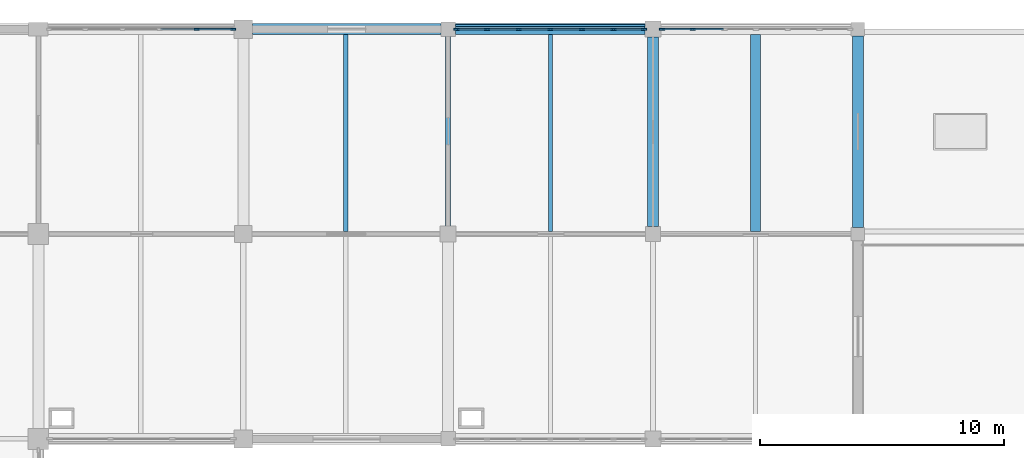
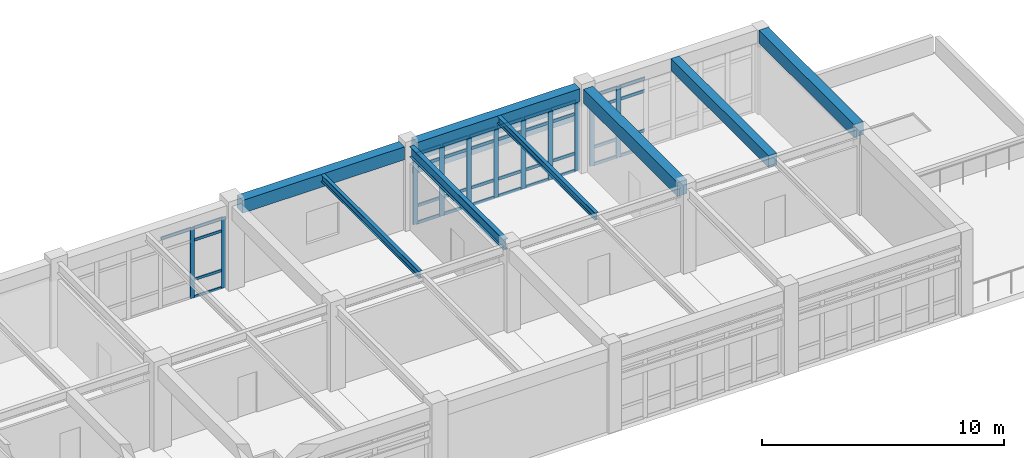
# One storey, part 40 of 78: 50 members, 8 beams, 3 elements without a shape of their own.
"""IFC4 building model written with IfcOpenShell, lengths in metres."""

from ifc_helpers import new_model, si_unit, direction, frame, origin, origin_2d, place, context, subcontext, project, spatial, rectangle, i_section, extrude, material, layer, layer_set, material_profile, profile_set, type_object, element, aggregate, save


model = new_model("IFC4")

# Units and contexts
model_context = context("Model", 3, precision=1e-05, world=origin(), true_north=direction((0.0, 1.0)))
body_context = subcontext(model_context, "Body", "Model", "MODEL_VIEW")
ifc_project = project(units=[si_unit("LENGTHUNIT", "METRE"), si_unit("AREAUNIT", "SQUARE_METRE"), si_unit("VOLUMEUNIT", "CUBIC_METRE"), si_unit("PLANEANGLEUNIT", "RADIAN"), si_unit("MASSUNIT", "GRAM", prefix="KILO")], contexts=[model_context])

# Site, building, storey
site_placement = place(None, origin())
site = spatial("IfcSite", under=ifc_project, at=site_placement, CompositionType="ELEMENT")
building_placement = place(site_placement, origin())
building = spatial("IfcBuilding", under=site, at=building_placement, Name="Porcellanite Civic Hall", CompositionType="ELEMENT")
storey_placement = place(building_placement, frame((0.0, 0.0, 10.260009765625)))
storey = spatial("IfcBuildingStorey", under=building, at=storey_placement, Name="L02", CompositionType="ELEMENT", Elevation=10.260009765625)

# Beams
ifc_material_1 = material(Name="Concrete N50 (50 MPa)", Category="concrete")
ifc_material_profile_1 = material_profile(ifc_material_1, rectangle(XDim=0.39990234375, YDim=0.60009765625, at=origin_2d()), Name="RC-400x600")
ifc_profile_set_1 = profile_set([ifc_material_profile_1], Name="Concrete N50 (50 MPa)")
beam_type_1 = type_object("IfcBeamType", Name="BM-RC600", PredefinedType="JOIST", material=ifc_profile_set_1)
beam_1_placement = place(storey_placement, frame((155.39990234375, 109.29443359375, 3.93994140625), z_axis=(0.0, 1.0, 0.0), x_axis=(-1.0, 0.0, 0.0)))
element("IfcBeam", 1, at=beam_1_placement, inside=storey, type_object=beam_type_1, Name="Secondary joist L02 19-14", PredefinedType="JOIST", context=body_context, shape_type="SweptSolid", body=[
    extrude(rectangle(XDim=0.39990234375, YDim=0.60009765625, at=origin_2d()), origin(), (0.0, 0.0, 1.0), 8.0810546875),
])
ifc_material_2 = material(Name="Concrete N50 (50 MPa)", Category="concrete")
ifc_material_profile_2 = material_profile(ifc_material_2, rectangle(XDim=0.449951171875, YDim=0.64990234375, at=origin_2d()), Name="RC-450x650")
ifc_profile_set_2 = profile_set([ifc_material_profile_2], Name="Concrete N50 (50 MPa)")
beam_type_2 = type_object("IfcBeamType", Name="BM-RC650", PredefinedType="SPANDREL", material=ifc_profile_set_2)
beam_2_placement = place(storey_placement, frame((134.7744140625, 117.60009765625, 3.9150390625), z_axis=(1.0, 0.0, 0.0), x_axis=(0.0, 1.0, 0.0)))
element("IfcBeam", 2, at=beam_2_placement, inside=storey, type_object=beam_type_2, Name="Beam X L02 17-15", PredefinedType="SPANDREL", context=body_context, shape_type="SweptSolid", body=[
    extrude(rectangle(XDim=0.449951171875, YDim=0.64990234375, at=origin_2d()), origin(), (0.0, 0.0, 1.0), 7.72607421875),
])
beam_3_placement = place(storey_placement, frame((143.099609375, 117.60009765625, 3.9150390625), z_axis=(1.0, 0.0, 0.0), x_axis=(0.0, 1.0, 0.0)))
element("IfcBeam", 3, at=beam_3_placement, inside=storey, type_object=beam_type_2, Name="Beam X L02 18-15", PredefinedType="SPANDREL", context=body_context, shape_type="SweptSolid", body=[
    extrude(rectangle(XDim=0.449951171875, YDim=0.64990234375, at=origin_2d()), origin(), (0.0, 0.0, 1.0), 7.77587890625),
])
beam_4_placement = place(storey_placement, frame((159.60009765625, 109.474609375, 3.9150390625), z_axis=(0.0, 1.0, 0.0), x_axis=(-1.0, 0.0, 0.0)))
element("IfcBeam", 4, at=beam_4_placement, inside=storey, type_object=beam_type_2, Name="Beam Y L02 20-14", PredefinedType="SPANDREL", context=body_context, shape_type="SweptSolid", body=[
    extrude(rectangle(XDim=0.449951171875, YDim=0.64990234375, at=origin_2d()), origin(), (0.0, 0.0, 1.0), 7.850830078125),
])
ifc_material_3 = material(Name="Concrete N50 (50 MPa)", Category="concrete")
ifc_material_profile_3 = material_profile(ifc_material_3, rectangle(XDim=0.449951171875, YDim=0.699951171875, at=origin_2d()), Name="RC-450x700")
ifc_profile_set_3 = profile_set([ifc_material_profile_3], Name="Concrete N50 (50 MPa)")
beam_type_3 = type_object("IfcBeamType", Name="BM-RC700", PredefinedType="BEAM", material=ifc_profile_set_3)
beam_5_placement = place(storey_placement, frame((151.199951171875, 109.49951171875, 3.889892578125), z_axis=(0.0, 1.0, 0.0), x_axis=(-1.0, 0.0, 0.0)))
element("IfcBeam", 5, at=beam_5_placement, inside=storey, type_object=beam_type_3, Name="Beam Y L02 19-14", PredefinedType="BEAM", context=body_context, shape_type="SweptSolid", body=[
    extrude(rectangle(XDim=0.449951171875, YDim=0.699951171875, at=origin_2d()), origin(), (0.0, 0.0, 1.0), 7.77587890625),
])

# Curtain wall, members
ifc_material_4 = material(Name="Anodised aluminium and solar laminated glass", Category="aluminium")
ifc_layer_1 = layer(ifc_material_4, 0.179931640625)
ifc_layer_set_1 = layer_set([ifc_layer_1], Name="Anodised aluminium and solar laminated glass")
curtain_wall_type_1 = type_object("IfcCurtainWallType", Name="CW-SYS02", PredefinedType="NOTDEFINED", material=ifc_layer_set_1)
curtain_wall_1_placement = place(storey_placement, origin())
curtain_wall_1 = element("IfcCurtainWall", 6, at=curtain_wall_1_placement, inside=storey, type_object=curtain_wall_type_1, Name="Curtain wall CW-177", PredefinedType="NOTDEFINED")
ifc_material_5 = material(Name="Anodised aluminium 6063-T6", Category="aluminium")
ifc_material_profile_4 = material_profile(ifc_material_5, rectangle(XDim=0.074951171875, YDim=0.219970703125, at=origin_2d()), Name="AL-75x220")
ifc_profile_set_4 = profile_set([ifc_material_profile_4], Name="Anodised aluminium 6063-T6")
member_type_1 = type_object("IfcMemberType", Name="CWM-03", PredefinedType="MULLION", material=ifc_profile_set_4)
member_1_placement = place(storey_placement, frame((143.138427734375, 117.60009765625, 0.0), z_axis=(0.0, 0.0, 1.0), x_axis=(0.0, 1.0, 0.0)))
member_1 = element("IfcMember", 7, at=member_1_placement, type_object=member_type_1, Name="CW-177 mullion 1", PredefinedType="MULLION", context=body_context, shape_type="SweptSolid", body=[
    extrude(rectangle(XDim=0.074951171875, YDim=0.219970703125, at=origin_2d()), origin(), (0.0, 0.0, 1.0), 3.5400390625),
])
member_2_placement = place(storey_placement, frame((144.396484375, 117.60009765625, 0.0), z_axis=(0.0, 0.0, 1.0), x_axis=(0.0, 1.0, 0.0)))
member_2 = element("IfcMember", 8, at=member_2_placement, type_object=member_type_1, Name="CW-177 mullion 2", PredefinedType="MULLION", context=body_context, shape_type="SweptSolid", body=[
    extrude(rectangle(XDim=0.074951171875, YDim=0.219970703125, at=origin_2d()), origin(), (0.0, 0.0, 1.0), 3.5400390625),
])
member_3_placement = place(storey_placement, frame((145.69189453125, 117.60009765625, 0.0), z_axis=(0.0, 0.0, 1.0), x_axis=(0.0, 1.0, 0.0)))
member_3 = element("IfcMember", 9, at=member_3_placement, type_object=member_type_1, Name="CW-177 mullion 3", PredefinedType="MULLION", context=body_context, shape_type="SweptSolid", body=[
    extrude(rectangle(XDim=0.074951171875, YDim=0.219970703125, at=origin_2d()), origin(), (0.0, 0.0, 1.0), 3.5400390625),
])
member_4_placement = place(storey_placement, frame((146.987548828125, 117.60009765625, 0.0), z_axis=(0.0, 0.0, 1.0), x_axis=(0.0, 1.0, 0.0)))
member_4 = element("IfcMember", 10, at=member_4_placement, type_object=member_type_1, Name="CW-177 mullion 4", PredefinedType="MULLION", context=body_context, shape_type="SweptSolid", body=[
    extrude(rectangle(XDim=0.074951171875, YDim=0.219970703125, at=origin_2d()), origin(), (0.0, 0.0, 1.0), 3.5400390625),
])
member_5_placement = place(storey_placement, frame((148.282958984375, 117.60009765625, 0.0), z_axis=(0.0, 0.0, 1.0), x_axis=(0.0, 1.0, 0.0)))
member_5 = element("IfcMember", 11, at=member_5_placement, type_object=member_type_1, Name="CW-177 mullion 5", PredefinedType="MULLION", context=body_context, shape_type="SweptSolid", body=[
    extrude(rectangle(XDim=0.074951171875, YDim=0.219970703125, at=origin_2d()), origin(), (0.0, 0.0, 1.0), 3.5400390625),
])
member_6_placement = place(storey_placement, frame((149.57861328125, 117.60009765625, 0.0), z_axis=(0.0, 0.0, 1.0), x_axis=(0.0, 1.0, 0.0)))
member_6 = element("IfcMember", 12, at=member_6_placement, type_object=member_type_1, Name="CW-177 mullion 6", PredefinedType="MULLION", context=body_context, shape_type="SweptSolid", body=[
    extrude(rectangle(XDim=0.074951171875, YDim=0.219970703125, at=origin_2d()), origin(), (0.0, 0.0, 1.0), 3.5400390625),
])
member_7_placement = place(storey_placement, frame((150.83642578125, 117.60009765625, 0.0), z_axis=(0.0, 0.0, 1.0), x_axis=(0.0, 1.0, 0.0)))
member_7 = element("IfcMember", 13, at=member_7_placement, type_object=member_type_1, Name="CW-177 mullion 7", PredefinedType="MULLION", context=body_context, shape_type="SweptSolid", body=[
    extrude(rectangle(XDim=0.074951171875, YDim=0.219970703125, at=origin_2d()), origin(), (0.0, 0.0, 1.0), 3.5400390625),
])

curtain_wall_2_placement = place(storey_placement, origin())
curtain_wall_2 = element("IfcCurtainWall", 14, at=curtain_wall_2_placement, inside=storey, type_object=curtain_wall_type_1, Name="Curtain wall CW-180", PredefinedType="NOTDEFINED")
member_8_placement = place(storey_placement, frame((151.5634765625, 117.60009765625, 0.0), z_axis=(0.0, 0.0, 1.0), x_axis=(0.0, 1.0, 0.0)))
member_8 = element("IfcMember", 15, at=member_8_placement, type_object=member_type_1, Name="CW-180 mullion 1", PredefinedType="MULLION", context=body_context, shape_type="SweptSolid", body=[
    extrude(rectangle(XDim=0.074951171875, YDim=0.219970703125, at=origin_2d()), origin(), (0.0, 0.0, 1.0), 3.5400390625),
])
member_9_placement = place(storey_placement, frame((152.82568359375, 117.60009765625, 0.0), z_axis=(0.0, 0.0, 1.0), x_axis=(0.0, 1.0, 0.0)))
member_9 = element("IfcMember", 16, at=member_9_placement, type_object=member_type_1, Name="CW-180 mullion 2", PredefinedType="MULLION", context=body_context, shape_type="SweptSolid", body=[
    extrude(rectangle(XDim=0.074951171875, YDim=0.219970703125, at=origin_2d()), origin(), (0.0, 0.0, 1.0), 3.5400390625),
])

ifc_material_6 = material(Name="Anodised aluminium and solar laminated glass", Category="aluminium")
ifc_layer_2 = layer(ifc_material_6, 0.179931640625)
ifc_layer_set_2 = layer_set([ifc_layer_2], Name="Anodised aluminium and solar laminated glass")
curtain_wall_type_2 = type_object("IfcCurtainWallType", Name="CW-SYS01", PredefinedType="NOTDEFINED", material=ifc_layer_set_2)
curtain_wall_3_placement = place(storey_placement, origin())
curtain_wall_3 = element("IfcCurtainWall", 17, at=curtain_wall_3_placement, inside=storey, type_object=curtain_wall_type_2, Name="Curtain wall CW-173", PredefinedType="NOTDEFINED")
ifc_material_7 = material(Name="Anodised aluminium 6063-T6", Category="aluminium")
ifc_material_profile_5 = material_profile(ifc_material_7, rectangle(XDim=0.070068359375, YDim=0.199951171875, at=origin_2d()), Name="AL-70x200")
ifc_profile_set_5 = profile_set([ifc_material_profile_5], Name="Anodised aluminium 6063-T6")
member_type_2 = type_object("IfcMemberType", Name="CWM-05", PredefinedType="MULLION", material=ifc_profile_set_5)
member_10_placement = place(storey_placement, frame((132.49951171875, 117.60009765625, 0.0), z_axis=(0.0, 0.0, 1.0), x_axis=(0.0, 1.0, 0.0)))
member_10 = element("IfcMember", 18, at=member_10_placement, type_object=member_type_2, Name="CW-173 mullion 5", PredefinedType="MULLION", context=body_context, shape_type="SweptSolid", body=[
    extrude(rectangle(XDim=0.070068359375, YDim=0.199951171875, at=origin_2d()), origin(), (0.0, 0.0, 1.0), 3.5400390625),
])
member_11_placement = place(storey_placement, frame((133.989013671875, 117.60009765625, 0.0), z_axis=(0.0, 0.0, 1.0), x_axis=(0.0, 1.0, 0.0)))
member_11 = element("IfcMember", 19, at=member_11_placement, type_object=member_type_2, Name="CW-173 mullion 6", PredefinedType="MULLION", context=body_context, shape_type="SweptSolid", body=[
    extrude(rectangle(XDim=0.070068359375, YDim=0.199951171875, at=origin_2d()), origin(), (0.0, 0.0, 1.0), 3.5400390625),
])

# Member
ifc_material_8 = material(Name="Anodised aluminium 6063-T6", Category="aluminium")
ifc_material_profile_6 = material_profile(ifc_material_8, rectangle(XDim=0.06494140625, YDim=0.14990234375, at=origin_2d()), Name="AL-65x150")
ifc_profile_set_6 = profile_set([ifc_material_profile_6], Name="Anodised aluminium 6063-T6")
member_type_3 = type_object("IfcMemberType", Name="CWT-02", PredefinedType="USERDEFINED", material=ifc_profile_set_6)
member_12_placement = place(storey_placement, frame((143.176025390625, 117.60009765625, 0.032470703125), z_axis=(1.0, 0.0, 0.0), x_axis=(0.0, 1.0, 0.0)))
member_12 = element("IfcMember", 20, at=member_12_placement, type_object=member_type_3, Name="CW-177 transom 1.1", ObjectType="TRANSOM", PredefinedType="USERDEFINED", context=body_context, shape_type="SweptSolid", body=[
    extrude(rectangle(XDim=0.06494140625, YDim=0.14990234375, at=origin_2d()), origin(), (0.0, 0.0, 1.0), 1.182861328125),
])

member_13_placement = place(storey_placement, frame((143.176025390625, 117.60009765625, 0.89990234375), z_axis=(1.0, 0.0, 0.0), x_axis=(0.0, 1.0, 0.0)))
member_13 = element("IfcMember", 21, at=member_13_placement, type_object=member_type_3, Name="CW-177 transom 1.2", ObjectType="TRANSOM", PredefinedType="USERDEFINED", context=body_context, shape_type="SweptSolid", body=[
    extrude(rectangle(XDim=0.06494140625, YDim=0.14990234375, at=origin_2d()), origin(), (0.0, 0.0, 1.0), 1.182861328125),
])

member_14_placement = place(storey_placement, frame((143.176025390625, 117.60009765625, 2.889892578125), z_axis=(1.0, 0.0, 0.0), x_axis=(0.0, 1.0, 0.0)))
member_14 = element("IfcMember", 22, at=member_14_placement, type_object=member_type_3, Name="CW-177 transom 1.3", ObjectType="TRANSOM", PredefinedType="USERDEFINED", context=body_context, shape_type="SweptSolid", body=[
    extrude(rectangle(XDim=0.06494140625, YDim=0.14990234375, at=origin_2d()), origin(), (0.0, 0.0, 1.0), 1.182861328125),
])

member_15_placement = place(storey_placement, frame((143.176025390625, 117.60009765625, 3.507568359375), z_axis=(1.0, 0.0, 0.0), x_axis=(0.0, 1.0, 0.0)))
member_15 = element("IfcMember", 23, at=member_15_placement, type_object=member_type_3, Name="CW-177 transom 1.4", ObjectType="TRANSOM", PredefinedType="USERDEFINED", context=body_context, shape_type="SweptSolid", body=[
    extrude(rectangle(XDim=0.06494140625, YDim=0.14990234375, at=origin_2d()), origin(), (0.0, 0.0, 1.0), 1.182861328125),
])

member_16_placement = place(storey_placement, frame((144.43408203125, 117.60009765625, 0.032470703125), z_axis=(1.0, 0.0, 0.0), x_axis=(0.0, 1.0, 0.0)))
member_16 = element("IfcMember", 24, at=member_16_placement, type_object=member_type_3, Name="CW-177 transom 2.1", ObjectType="TRANSOM", PredefinedType="USERDEFINED", context=body_context, shape_type="SweptSolid", body=[
    extrude(rectangle(XDim=0.06494140625, YDim=0.14990234375, at=origin_2d()), origin(), (0.0, 0.0, 1.0), 1.220458984375),
])

member_17_placement = place(storey_placement, frame((144.43408203125, 117.60009765625, 0.89990234375), z_axis=(1.0, 0.0, 0.0), x_axis=(0.0, 1.0, 0.0)))
member_17 = element("IfcMember", 25, at=member_17_placement, type_object=member_type_3, Name="CW-177 transom 2.2", ObjectType="TRANSOM", PredefinedType="USERDEFINED", context=body_context, shape_type="SweptSolid", body=[
    extrude(rectangle(XDim=0.06494140625, YDim=0.14990234375, at=origin_2d()), origin(), (0.0, 0.0, 1.0), 1.220458984375),
])

member_18_placement = place(storey_placement, frame((144.43408203125, 117.60009765625, 2.889892578125), z_axis=(1.0, 0.0, 0.0), x_axis=(0.0, 1.0, 0.0)))
member_18 = element("IfcMember", 26, at=member_18_placement, type_object=member_type_3, Name="CW-177 transom 2.3", ObjectType="TRANSOM", PredefinedType="USERDEFINED", context=body_context, shape_type="SweptSolid", body=[
    extrude(rectangle(XDim=0.06494140625, YDim=0.14990234375, at=origin_2d()), origin(), (0.0, 0.0, 1.0), 1.220458984375),
])

member_19_placement = place(storey_placement, frame((144.43408203125, 117.60009765625, 3.507568359375), z_axis=(1.0, 0.0, 0.0), x_axis=(0.0, 1.0, 0.0)))
member_19 = element("IfcMember", 27, at=member_19_placement, type_object=member_type_3, Name="CW-177 transom 2.4", ObjectType="TRANSOM", PredefinedType="USERDEFINED", context=body_context, shape_type="SweptSolid", body=[
    extrude(rectangle(XDim=0.06494140625, YDim=0.14990234375, at=origin_2d()), origin(), (0.0, 0.0, 1.0), 1.220458984375),
])

member_20_placement = place(storey_placement, frame((145.7294921875, 117.60009765625, 0.032470703125), z_axis=(1.0, 0.0, 0.0), x_axis=(0.0, 1.0, 0.0)))
member_20 = element("IfcMember", 28, at=member_20_placement, type_object=member_type_3, Name="CW-177 transom 3.1", ObjectType="TRANSOM", PredefinedType="USERDEFINED", context=body_context, shape_type="SweptSolid", body=[
    extrude(rectangle(XDim=0.06494140625, YDim=0.14990234375, at=origin_2d()), origin(), (0.0, 0.0, 1.0), 1.220458984375),
])

member_21_placement = place(storey_placement, frame((145.7294921875, 117.60009765625, 0.89990234375), z_axis=(1.0, 0.0, 0.0), x_axis=(0.0, 1.0, 0.0)))
member_21 = element("IfcMember", 29, at=member_21_placement, type_object=member_type_3, Name="CW-177 transom 3.2", ObjectType="TRANSOM", PredefinedType="USERDEFINED", context=body_context, shape_type="SweptSolid", body=[
    extrude(rectangle(XDim=0.06494140625, YDim=0.14990234375, at=origin_2d()), origin(), (0.0, 0.0, 1.0), 1.220458984375),
])

member_22_placement = place(storey_placement, frame((145.7294921875, 117.60009765625, 2.889892578125), z_axis=(1.0, 0.0, 0.0), x_axis=(0.0, 1.0, 0.0)))
member_22 = element("IfcMember", 30, at=member_22_placement, type_object=member_type_3, Name="CW-177 transom 3.3", ObjectType="TRANSOM", PredefinedType="USERDEFINED", context=body_context, shape_type="SweptSolid", body=[
    extrude(rectangle(XDim=0.06494140625, YDim=0.14990234375, at=origin_2d()), origin(), (0.0, 0.0, 1.0), 1.220458984375),
])

member_23_placement = place(storey_placement, frame((145.7294921875, 117.60009765625, 3.507568359375), z_axis=(1.0, 0.0, 0.0), x_axis=(0.0, 1.0, 0.0)))
member_23 = element("IfcMember", 31, at=member_23_placement, type_object=member_type_3, Name="CW-177 transom 3.4", ObjectType="TRANSOM", PredefinedType="USERDEFINED", context=body_context, shape_type="SweptSolid", body=[
    extrude(rectangle(XDim=0.06494140625, YDim=0.14990234375, at=origin_2d()), origin(), (0.0, 0.0, 1.0), 1.220458984375),
])

member_24_placement = place(storey_placement, frame((147.02490234375, 117.60009765625, 0.032470703125), z_axis=(1.0, 0.0, 0.0), x_axis=(0.0, 1.0, 0.0)))
member_24 = element("IfcMember", 32, at=member_24_placement, type_object=member_type_3, Name="CW-177 transom 4.1", ObjectType="TRANSOM", PredefinedType="USERDEFINED", context=body_context, shape_type="SweptSolid", body=[
    extrude(rectangle(XDim=0.06494140625, YDim=0.14990234375, at=origin_2d()), origin(), (0.0, 0.0, 1.0), 1.220703125),
])

member_25_placement = place(storey_placement, frame((147.02490234375, 117.60009765625, 0.89990234375), z_axis=(1.0, 0.0, 0.0), x_axis=(0.0, 1.0, 0.0)))
member_25 = element("IfcMember", 33, at=member_25_placement, type_object=member_type_3, Name="CW-177 transom 4.2", ObjectType="TRANSOM", PredefinedType="USERDEFINED", context=body_context, shape_type="SweptSolid", body=[
    extrude(rectangle(XDim=0.06494140625, YDim=0.14990234375, at=origin_2d()), origin(), (0.0, 0.0, 1.0), 1.220703125),
])

member_26_placement = place(storey_placement, frame((147.02490234375, 117.60009765625, 2.889892578125), z_axis=(1.0, 0.0, 0.0), x_axis=(0.0, 1.0, 0.0)))
member_26 = element("IfcMember", 34, at=member_26_placement, type_object=member_type_3, Name="CW-177 transom 4.3", ObjectType="TRANSOM", PredefinedType="USERDEFINED", context=body_context, shape_type="SweptSolid", body=[
    extrude(rectangle(XDim=0.06494140625, YDim=0.14990234375, at=origin_2d()), origin(), (0.0, 0.0, 1.0), 1.220703125),
])

member_27_placement = place(storey_placement, frame((147.02490234375, 117.60009765625, 3.507568359375), z_axis=(1.0, 0.0, 0.0), x_axis=(0.0, 1.0, 0.0)))
member_27 = element("IfcMember", 35, at=member_27_placement, type_object=member_type_3, Name="CW-177 transom 4.4", ObjectType="TRANSOM", PredefinedType="USERDEFINED", context=body_context, shape_type="SweptSolid", body=[
    extrude(rectangle(XDim=0.06494140625, YDim=0.14990234375, at=origin_2d()), origin(), (0.0, 0.0, 1.0), 1.220703125),
])

member_28_placement = place(storey_placement, frame((148.320556640625, 117.60009765625, 0.032470703125), z_axis=(1.0, 0.0, 0.0), x_axis=(0.0, 1.0, 0.0)))
member_28 = element("IfcMember", 36, at=member_28_placement, type_object=member_type_3, Name="CW-177 transom 5.1", ObjectType="TRANSOM", PredefinedType="USERDEFINED", context=body_context, shape_type="SweptSolid", body=[
    extrude(rectangle(XDim=0.06494140625, YDim=0.14990234375, at=origin_2d()), origin(), (0.0, 0.0, 1.0), 1.220458984375),
])

member_29_placement = place(storey_placement, frame((148.320556640625, 117.60009765625, 0.89990234375), z_axis=(1.0, 0.0, 0.0), x_axis=(0.0, 1.0, 0.0)))
member_29 = element("IfcMember", 37, at=member_29_placement, type_object=member_type_3, Name="CW-177 transom 5.2", ObjectType="TRANSOM", PredefinedType="USERDEFINED", context=body_context, shape_type="SweptSolid", body=[
    extrude(rectangle(XDim=0.06494140625, YDim=0.14990234375, at=origin_2d()), origin(), (0.0, 0.0, 1.0), 1.220458984375),
])

member_30_placement = place(storey_placement, frame((148.320556640625, 117.60009765625, 2.889892578125), z_axis=(1.0, 0.0, 0.0), x_axis=(0.0, 1.0, 0.0)))
member_30 = element("IfcMember", 38, at=member_30_placement, type_object=member_type_3, Name="CW-177 transom 5.3", ObjectType="TRANSOM", PredefinedType="USERDEFINED", context=body_context, shape_type="SweptSolid", body=[
    extrude(rectangle(XDim=0.06494140625, YDim=0.14990234375, at=origin_2d()), origin(), (0.0, 0.0, 1.0), 1.220458984375),
])

member_31_placement = place(storey_placement, frame((148.320556640625, 117.60009765625, 3.507568359375), z_axis=(1.0, 0.0, 0.0), x_axis=(0.0, 1.0, 0.0)))
member_31 = element("IfcMember", 39, at=member_31_placement, type_object=member_type_3, Name="CW-177 transom 5.4", ObjectType="TRANSOM", PredefinedType="USERDEFINED", context=body_context, shape_type="SweptSolid", body=[
    extrude(rectangle(XDim=0.06494140625, YDim=0.14990234375, at=origin_2d()), origin(), (0.0, 0.0, 1.0), 1.220458984375),
])

member_32_placement = place(storey_placement, frame((149.615966796875, 117.60009765625, 0.032470703125), z_axis=(1.0, 0.0, 0.0), x_axis=(0.0, 1.0, 0.0)))
member_32 = element("IfcMember", 40, at=member_32_placement, type_object=member_type_3, Name="CW-177 transom 6.1", ObjectType="TRANSOM", PredefinedType="USERDEFINED", context=body_context, shape_type="SweptSolid", body=[
    extrude(rectangle(XDim=0.06494140625, YDim=0.14990234375, at=origin_2d()), origin(), (0.0, 0.0, 1.0), 1.18310546875),
])

member_33_placement = place(storey_placement, frame((149.615966796875, 117.60009765625, 0.89990234375), z_axis=(1.0, 0.0, 0.0), x_axis=(0.0, 1.0, 0.0)))
member_33 = element("IfcMember", 41, at=member_33_placement, type_object=member_type_3, Name="CW-177 transom 6.2", ObjectType="TRANSOM", PredefinedType="USERDEFINED", context=body_context, shape_type="SweptSolid", body=[
    extrude(rectangle(XDim=0.06494140625, YDim=0.14990234375, at=origin_2d()), origin(), (0.0, 0.0, 1.0), 1.18310546875),
])

member_34_placement = place(storey_placement, frame((149.615966796875, 117.60009765625, 2.889892578125), z_axis=(1.0, 0.0, 0.0), x_axis=(0.0, 1.0, 0.0)))
member_34 = element("IfcMember", 42, at=member_34_placement, type_object=member_type_3, Name="CW-177 transom 6.3", ObjectType="TRANSOM", PredefinedType="USERDEFINED", context=body_context, shape_type="SweptSolid", body=[
    extrude(rectangle(XDim=0.06494140625, YDim=0.14990234375, at=origin_2d()), origin(), (0.0, 0.0, 1.0), 1.18310546875),
])

member_35_placement = place(storey_placement, frame((149.615966796875, 117.60009765625, 3.507568359375), z_axis=(1.0, 0.0, 0.0), x_axis=(0.0, 1.0, 0.0)))
member_35 = element("IfcMember", 43, at=member_35_placement, type_object=member_type_3, Name="CW-177 transom 6.4", ObjectType="TRANSOM", PredefinedType="USERDEFINED", context=body_context, shape_type="SweptSolid", body=[
    extrude(rectangle(XDim=0.06494140625, YDim=0.14990234375, at=origin_2d()), origin(), (0.0, 0.0, 1.0), 1.18310546875),
])

aggregate(curtain_wall_1, [member_1, member_2, member_3, member_4, member_5, member_6, member_7, member_12, member_13, member_14, member_15, member_16, member_17, member_18, member_19, member_20, member_21, member_22, member_23, member_24, member_25, member_26, member_27, member_28, member_29, member_30, member_31, member_32, member_33, member_34, member_35])

member_36_placement = place(storey_placement, frame((151.60107421875, 117.60009765625, 0.032470703125), z_axis=(1.0, 0.0, 0.0), x_axis=(0.0, 1.0, 0.0)))
member_36 = element("IfcMember", 44, at=member_36_placement, type_object=member_type_3, Name="CW-180 transom 1.1", ObjectType="TRANSOM", PredefinedType="USERDEFINED", context=body_context, shape_type="SweptSolid", body=[
    extrude(rectangle(XDim=0.06494140625, YDim=0.14990234375, at=origin_2d()), origin(), (0.0, 0.0, 1.0), 1.18701171875),
])

member_37_placement = place(storey_placement, frame((151.60107421875, 117.60009765625, 0.89990234375), z_axis=(1.0, 0.0, 0.0), x_axis=(0.0, 1.0, 0.0)))
member_37 = element("IfcMember", 45, at=member_37_placement, type_object=member_type_3, Name="CW-180 transom 1.2", ObjectType="TRANSOM", PredefinedType="USERDEFINED", context=body_context, shape_type="SweptSolid", body=[
    extrude(rectangle(XDim=0.06494140625, YDim=0.14990234375, at=origin_2d()), origin(), (0.0, 0.0, 1.0), 1.18701171875),
])

member_38_placement = place(storey_placement, frame((151.60107421875, 117.60009765625, 2.889892578125), z_axis=(1.0, 0.0, 0.0), x_axis=(0.0, 1.0, 0.0)))
member_38 = element("IfcMember", 46, at=member_38_placement, type_object=member_type_3, Name="CW-180 transom 1.3", ObjectType="TRANSOM", PredefinedType="USERDEFINED", context=body_context, shape_type="SweptSolid", body=[
    extrude(rectangle(XDim=0.06494140625, YDim=0.14990234375, at=origin_2d()), origin(), (0.0, 0.0, 1.0), 1.18701171875),
])

member_39_placement = place(storey_placement, frame((151.60107421875, 117.60009765625, 3.507568359375), z_axis=(1.0, 0.0, 0.0), x_axis=(0.0, 1.0, 0.0)))
member_39 = element("IfcMember", 47, at=member_39_placement, type_object=member_type_3, Name="CW-180 transom 1.4", ObjectType="TRANSOM", PredefinedType="USERDEFINED", context=body_context, shape_type="SweptSolid", body=[
    extrude(rectangle(XDim=0.06494140625, YDim=0.14990234375, at=origin_2d()), origin(), (0.0, 0.0, 1.0), 1.18701171875),
])

member_40_placement = place(storey_placement, frame((152.86328125, 117.60009765625, 0.032470703125), z_axis=(1.0, 0.0, 0.0), x_axis=(0.0, 1.0, 0.0)))
member_40 = element("IfcMember", 48, at=member_40_placement, type_object=member_type_3, Name="CW-180 transom 2.1", ObjectType="TRANSOM", PredefinedType="USERDEFINED", context=body_context, shape_type="SweptSolid", body=[
    extrude(rectangle(XDim=0.06494140625, YDim=0.14990234375, at=origin_2d()), origin(), (0.0, 0.0, 1.0), 1.224609375),
])

member_41_placement = place(storey_placement, frame((152.86328125, 117.60009765625, 0.89990234375), z_axis=(1.0, 0.0, 0.0), x_axis=(0.0, 1.0, 0.0)))
member_41 = element("IfcMember", 49, at=member_41_placement, type_object=member_type_3, Name="CW-180 transom 2.2", ObjectType="TRANSOM", PredefinedType="USERDEFINED", context=body_context, shape_type="SweptSolid", body=[
    extrude(rectangle(XDim=0.06494140625, YDim=0.14990234375, at=origin_2d()), origin(), (0.0, 0.0, 1.0), 1.224609375),
])

member_42_placement = place(storey_placement, frame((152.86328125, 117.60009765625, 2.889892578125), z_axis=(1.0, 0.0, 0.0), x_axis=(0.0, 1.0, 0.0)))
member_42 = element("IfcMember", 50, at=member_42_placement, type_object=member_type_3, Name="CW-180 transom 2.3", ObjectType="TRANSOM", PredefinedType="USERDEFINED", context=body_context, shape_type="SweptSolid", body=[
    extrude(rectangle(XDim=0.06494140625, YDim=0.14990234375, at=origin_2d()), origin(), (0.0, 0.0, 1.0), 1.224609375),
])

member_43_placement = place(storey_placement, frame((152.86328125, 117.60009765625, 3.507568359375), z_axis=(1.0, 0.0, 0.0), x_axis=(0.0, 1.0, 0.0)))
member_43 = element("IfcMember", 51, at=member_43_placement, type_object=member_type_3, Name="CW-180 transom 2.4", ObjectType="TRANSOM", PredefinedType="USERDEFINED", context=body_context, shape_type="SweptSolid", body=[
    extrude(rectangle(XDim=0.06494140625, YDim=0.14990234375, at=origin_2d()), origin(), (0.0, 0.0, 1.0), 1.224609375),
])

aggregate(curtain_wall_2, [member_8, member_9, member_36, member_37, member_38, member_39, member_40, member_41, member_42, member_43])

ifc_material_9 = material(Name="Anodised aluminium 6063-T6", Category="aluminium")
ifc_material_profile_7 = material_profile(ifc_material_9, rectangle(XDim=0.06005859375, YDim=0.1298828125, at=origin_2d()), Name="AL-60x130")
ifc_profile_set_7 = profile_set([ifc_material_profile_7], Name="Anodised aluminium 6063-T6")
member_type_4 = type_object("IfcMemberType", Name="CWT-03", PredefinedType="USERDEFINED", material=ifc_profile_set_7)
member_44_placement = place(storey_placement, frame((131.009765625, 117.60009765625, 3.510009765625), z_axis=(1.0, 0.0, 0.0), x_axis=(0.0, 1.0, 0.0)))
member_44 = element("IfcMember", 52, at=member_44_placement, type_object=member_type_4, Name="CW-173 transom 4.4", ObjectType="TRANSOM", PredefinedType="USERDEFINED", context=body_context, shape_type="SweptSolid", body=[
    extrude(rectangle(XDim=0.06005859375, YDim=0.1298828125, at=origin_2d()), origin(), (0.0, 0.0, 1.0), 1.45458984375),
])

member_45_placement = place(storey_placement, frame((132.534423828125, 117.60009765625, 0.030029296875), z_axis=(1.0, 0.0, 0.0), x_axis=(0.0, 1.0, 0.0)))
member_45 = element("IfcMember", 53, at=member_45_placement, type_object=member_type_4, Name="CW-173 transom 5.1", ObjectType="TRANSOM", PredefinedType="USERDEFINED", context=body_context, shape_type="SweptSolid", body=[
    extrude(rectangle(XDim=0.06005859375, YDim=0.1298828125, at=origin_2d()), origin(), (0.0, 0.0, 1.0), 1.419677734375),
])

member_46_placement = place(storey_placement, frame((132.534423828125, 117.60009765625, 0.89990234375), z_axis=(1.0, 0.0, 0.0), x_axis=(0.0, 1.0, 0.0)))
member_46 = element("IfcMember", 54, at=member_46_placement, type_object=member_type_4, Name="CW-173 transom 5.2", ObjectType="TRANSOM", PredefinedType="USERDEFINED", context=body_context, shape_type="SweptSolid", body=[
    extrude(rectangle(XDim=0.06005859375, YDim=0.1298828125, at=origin_2d()), origin(), (0.0, 0.0, 1.0), 1.419677734375),
])

member_47_placement = place(storey_placement, frame((132.534423828125, 117.60009765625, 2.889892578125), z_axis=(1.0, 0.0, 0.0), x_axis=(0.0, 1.0, 0.0)))
member_47 = element("IfcMember", 55, at=member_47_placement, type_object=member_type_4, Name="CW-173 transom 5.3", ObjectType="TRANSOM", PredefinedType="USERDEFINED", context=body_context, shape_type="SweptSolid", body=[
    extrude(rectangle(XDim=0.06005859375, YDim=0.1298828125, at=origin_2d()), origin(), (0.0, 0.0, 1.0), 1.419677734375),
])

member_48_placement = place(storey_placement, frame((132.534423828125, 117.60009765625, 3.510009765625), z_axis=(1.0, 0.0, 0.0), x_axis=(0.0, 1.0, 0.0)))
member_48 = element("IfcMember", 56, at=member_48_placement, type_object=member_type_4, Name="CW-173 transom 5.4", ObjectType="TRANSOM", PredefinedType="USERDEFINED", context=body_context, shape_type="SweptSolid", body=[
    extrude(rectangle(XDim=0.06005859375, YDim=0.1298828125, at=origin_2d()), origin(), (0.0, 0.0, 1.0), 1.419677734375),
])

aggregate(curtain_wall_3, [member_10, member_11, member_44, member_45, member_46, member_47, member_48])

# Beams
ifc_material_10 = material(Name="Steel Grade 350", Category="steel")
ifc_material_profile_8 = material_profile(ifc_material_10, i_section(OverallWidth=0.1708984375, OverallDepth=0.35595703125, WebThickness=0.00732421875, FlangeThickness=0.011474609375, FilletRadius=0.011474609375, at=origin_2d()), Name="360UB50.7")
ifc_profile_set_8 = profile_set([ifc_material_profile_8], Name="Steel Grade 350")
beam_type_4 = type_object("IfcBeamType", Name="JST-360UB51", PredefinedType="JOIST", material=ifc_profile_set_8)
beam_6_placement = place(storey_placement, frame((147.0, 109.29443359375, 4.06201171875), z_axis=(0.0, 1.0, 0.0), x_axis=(-1.0, 0.0, 0.0)))
element("IfcBeam", 57, at=beam_6_placement, inside=storey, type_object=beam_type_4, Name="Secondary joist L02 18-14", PredefinedType="JOIST", context=body_context, shape_type="SweptSolid", body=[
    extrude(i_section(OverallWidth=0.1708984375, OverallDepth=0.35595703125, WebThickness=0.00732421875, FlangeThickness=0.011474609375, FilletRadius=0.011474609375, at=origin_2d()), origin(), (0.0, 0.0, 1.0), 8.0810546875),
])
ifc_material_11 = material(Name="Steel Grade 350", Category="steel")
ifc_material_profile_9 = material_profile(ifc_material_11, i_section(OverallWidth=0.172119140625, OverallDepth=0.35888671875, WebThickness=0.008056640625, FlangeThickness=0.012939453125, FilletRadius=0.011474609375, at=origin_2d()), Name="360UB56.7")
ifc_profile_set_9 = profile_set([ifc_material_profile_9], Name="Steel Grade 350")
beam_type_5 = type_object("IfcBeamType", Name="JST-360UB57", PredefinedType="JOIST", material=ifc_profile_set_9)
beam_7_placement = place(storey_placement, frame((138.60009765625, 109.29443359375, 4.060546875), z_axis=(0.0, 1.0, 0.0), x_axis=(-1.0, 0.0, 0.0)))
element("IfcBeam", 58, at=beam_7_placement, inside=storey, type_object=beam_type_5, Name="Secondary joist L02 17-14", PredefinedType="JOIST", context=body_context, shape_type="SweptSolid", body=[
    extrude(i_section(OverallWidth=0.172119140625, OverallDepth=0.35888671875, WebThickness=0.008056640625, FlangeThickness=0.012939453125, FilletRadius=0.011474609375, at=origin_2d()), origin(), (0.0, 0.0, 1.0), 8.0810546875),
])

# Members
ifc_material_12 = material(Name="Fluoropolymer bauxite-red aluminium 6063-T6", Category="aluminium")
ifc_material_profile_10 = material_profile(ifc_material_12, rectangle(XDim=0.080078125, YDim=0.320068359375, at=origin_2d()), Name="AL-80x320")
ifc_profile_set_10 = profile_set([ifc_material_profile_10], Name="Fluoropolymer bauxite-red aluminium 6063-T6")
member_type_5 = type_object("IfcMemberType", Name="LV-BLD03", PredefinedType="USERDEFINED", material=ifc_profile_set_10)
for number, where, z_axis, x_axis, name in (
    (59, (143.099609375, 117.751953125, 3.239990234375), (1.0, 0.0, 0.0), (0.0, 1.0, 0.0), "Cyclone sunshade louvre L02 N 17-13 1"),
    (60, (143.099609375, 117.751953125, 2.590087890625), (1.0, 0.0, 0.0), (0.0, 1.0, 0.0), "Cyclone sunshade louvre L02 N 17-13 2"),
):
    element("IfcMember", number, at=place(storey_placement, frame(where, z_axis=z_axis, x_axis=x_axis)), inside=storey, type_object=member_type_5, Name=name, ObjectType="LOUVRE BLADE", PredefinedType="USERDEFINED", context=body_context, shape_type="SweptSolid", body=[
        extrude(rectangle(XDim=0.080078125, YDim=0.320068359375, at=origin_2d()), origin(), (0.0, 0.0, 1.0), 7.77587890625),
    ])

# Beam
ifc_material_13 = material(Name="Steel Grade 350", Category="steel")
ifc_material_profile_11 = material_profile(ifc_material_13, i_section(OverallWidth=0.208984375, OverallDepth=0.528076171875, WebThickness=0.009521484375, FlangeThickness=0.01318359375, FilletRadius=0.013916015625, at=origin_2d()), Name="530UB82.0")
ifc_profile_set_11 = profile_set([ifc_material_profile_11], Name="Steel Grade 350")
beam_type_6 = type_object("IfcBeamType", Name="RAF-530UB82", PredefinedType="BEAM", material=ifc_profile_set_11)
beam_8_placement = place(storey_placement, frame((142.800048828125, 109.5244140625, 3.97607421875), z_axis=(0.0, 1.0, 0.0), x_axis=(-1.0, 0.0, 0.0)))
element("IfcBeam", 61, at=beam_8_placement, inside=storey, type_object=beam_type_6, Name="Beam Y L02 18-14", PredefinedType="BEAM", context=body_context, shape_type="SweptSolid", body=[
    extrude(i_section(OverallWidth=0.208984375, OverallDepth=0.528076171875, WebThickness=0.009521484375, FlangeThickness=0.01318359375, FilletRadius=0.013916015625, at=origin_2d()), origin(), (0.0, 0.0, 1.0), 7.776123046875),
])

save(model, "model.ifc")
